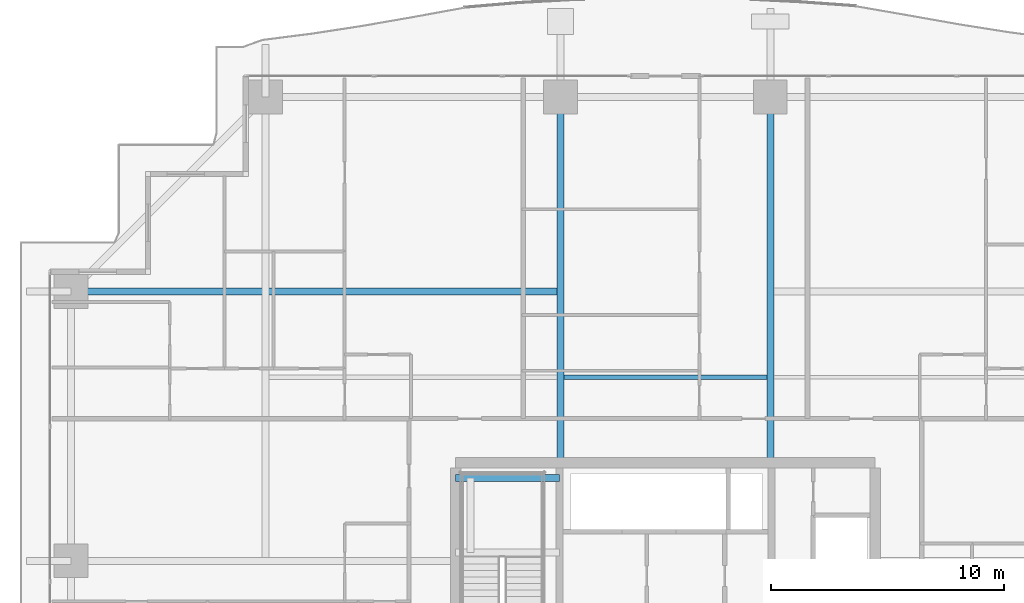
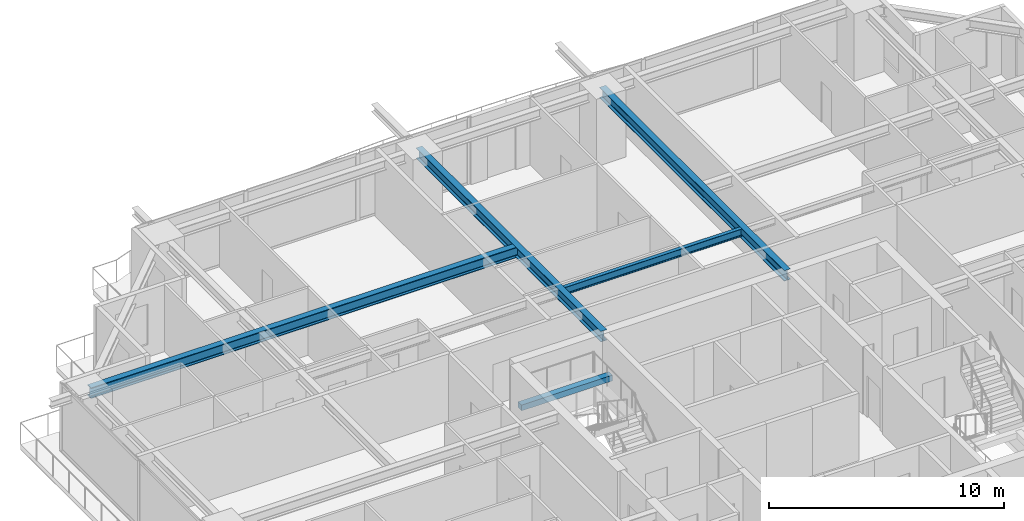
# One storey, part 19 of 37: 5 beams.
"""IFC4 building model written with IfcOpenShell, lengths in metres."""

from ifc_helpers import new_model, si_unit, direction, frame, origin, origin_2d, place, context, subcontext, project, spatial, rectangle, i_section, extrude, source, transform, mapped, material, material_profile, profile_set, type_object, element, save


model = new_model("IFC4")

# Units and contexts
model_context = context("Model", 3, precision=1e-05, world=origin(), true_north=direction((0.0, 1.0)))
body_context = subcontext(model_context, "Body", "Model", "MODEL_VIEW")
ifc_project = project(units=[si_unit("LENGTHUNIT", "METRE"), si_unit("AREAUNIT", "SQUARE_METRE"), si_unit("VOLUMEUNIT", "CUBIC_METRE"), si_unit("PLANEANGLEUNIT", "RADIAN"), si_unit("MASSUNIT", "GRAM", prefix="KILO")], contexts=[model_context])

# Site, building, storey
site_placement = place(None, origin())
site = spatial("IfcSite", under=ifc_project, at=site_placement, CompositionType="ELEMENT")
building_placement = place(site_placement, origin())
building = spatial("IfcBuilding", under=site, at=building_placement, Name="Serunith Strait Residences", CompositionType="ELEMENT")
storey_placement = place(building_placement, frame((0.0, 0.0, 34.199951171875)))
storey = spatial("IfcBuildingStorey", under=building, at=storey_placement, Name="L07", CompositionType="ELEMENT", Elevation=34.199951171875)

# Beams
ifc_material_1 = material(Name="Steel S355J2", Category="steel")
ifc_material_profile_1 = material_profile(ifc_material_1, i_section(OverallWidth=0.300048828125, OverallDepth=0.550048828125, WebThickness=0.014892578125, FlangeThickness=0.029052734375, FilletRadius=0.027099609375, at=origin_2d()), Name="HEB 550")
ifc_profile_set_1 = profile_set([ifc_material_profile_1], Name="Steel S355J2")
beam_type_1 = type_object("IfcBeamType", Name="BM-HEB550", PredefinedType="BEAM", material=ifc_profile_set_1)
shared_shape_1 = source(origin(), body_context, "Body", "SweptSolid", [
    extrude(i_section(OverallWidth=0.300048828125, OverallDepth=0.550048828125, WebThickness=0.014892578125, FlangeThickness=0.029052734375, FilletRadius=0.027099609375, at=origin_2d()), origin(), (0.0, 0.0, 1.0), 15.699951171875),
])
for number, where, z_axis, x_axis, name in (
    (1, (27.89990234375, 33.60009765625, 3.212158203125), (0.0, 1.0, 0.0), (-1.0, 0.0, 0.0), "L07 Primary Floor Girder TC-N2"),
    (2, (36.89990234375, 33.60009765625, 3.212158203125), (0.0, 1.0, 0.0), (-1.0, 0.0, 0.0), "L07 Primary Floor Girder TC-N3"),
):
    element("IfcBeam", number, at=place(storey_placement, frame(where, z_axis=z_axis, x_axis=x_axis)), inside=storey, type_object=beam_type_1, Name=name, PredefinedType="BEAM", context=body_context, shape_type="MappedRepresentation", body=[
        mapped(shared_shape_1, transform((0.0, 0.0, 0.0), scale=1.0)),
    ])
shared_shape_2 = source(origin(), body_context, "Body", "SweptSolid", [
    extrude(i_section(OverallWidth=0.300048828125, OverallDepth=0.550048828125, WebThickness=0.014892578125, FlangeThickness=0.029052734375, FilletRadius=0.027099609375, at=origin_2d()), origin(), (0.0, 0.0, 1.0), 21.0),
])
beam_1_placement = place(storey_placement, frame((27.89990234375, 40.949951171875, 3.212158203125), z_axis=(-1.0, 0.0, 0.0), x_axis=(0.0, -1.0, 0.0)))
element("IfcBeam", 3, at=beam_1_placement, inside=storey, type_object=beam_type_1, Name="L07 Orthogonal Corner Girder TC-W4", PredefinedType="BEAM", context=body_context, shape_type="MappedRepresentation", body=[
    mapped(shared_shape_2, transform((0.0, 0.0, 0.0), scale=1.0)),
])
ifc_material_profile_2 = material_profile(ifc_material_1, i_section(OverallWidth=0.179931640625, OverallDepth=0.39990234375, WebThickness=0.008544921875, FlangeThickness=0.013427734375, FilletRadius=0.02099609375, at=origin_2d()), Name="IPE 400")
ifc_profile_set_2 = profile_set([ifc_material_profile_2], Name="Steel S355J2")
beam_type_2 = type_object("IfcBeamType", Name="BM-IPE400", PredefinedType="JOIST", material=ifc_profile_set_2)
shared_shape_3 = source(origin(), body_context, "Body", "SweptSolid", [
    extrude(i_section(OverallWidth=0.179931640625, OverallDepth=0.39990234375, WebThickness=0.008544921875, FlangeThickness=0.013427734375, FilletRadius=0.02099609375, at=origin_2d()), origin(), (0.0, 0.0, 1.0), 8.699951171875),
])
beam_2_placement = place(storey_placement, frame((28.050048828125, 37.27490234375, 3.287109375), z_axis=(1.0, 0.0, 0.0), x_axis=(0.0, 1.0, 0.0)))
element("IfcBeam", 4, at=beam_2_placement, inside=storey, type_object=beam_type_2, Name="L07 Composite Floor Joist 05", PredefinedType="JOIST", context=body_context, shape_type="MappedRepresentation", body=[
    mapped(shared_shape_3, transform((0.0, 0.0, 0.0), scale=1.0)),
])
ifc_material_2 = material(Name="Concrete C60/75", Category="concrete")
ifc_material_profile_3 = material_profile(ifc_material_2, rectangle(XDim=0.300048828125, YDim=0.300048828125, at=origin_2d()), Name="RC 300x300")
ifc_profile_set_3 = profile_set([ifc_material_profile_3], Name="Concrete C60/75")
beam_type_3 = type_object("IfcBeamType", Name="BM-LAND-300x300", PredefinedType="BEAM", material=ifc_profile_set_3)
shared_shape_4 = source(origin(), body_context, "Body", "SweptSolid", [
    extrude(rectangle(XDim=0.300048828125, YDim=0.300048828125, at=origin_2d()), origin(), (0.0, 0.0, 1.0), 4.4501953125),
])
beam_3_placement = place(storey_placement, frame((23.39990234375, 32.949951171875, 1.525146484375), z_axis=(1.0, 0.0, 0.0), x_axis=(0.0, 1.0, 0.0)))
element("IfcBeam", 5, at=beam_3_placement, inside=storey, type_object=beam_type_3, Name="L07 ST-1 Landing Support Beam 2", PredefinedType="BEAM", context=body_context, shape_type="MappedRepresentation", body=[
    mapped(shared_shape_4, transform((0.0, 0.0, 0.0), scale=1.0)),
])

save(model, "model.ifc")
